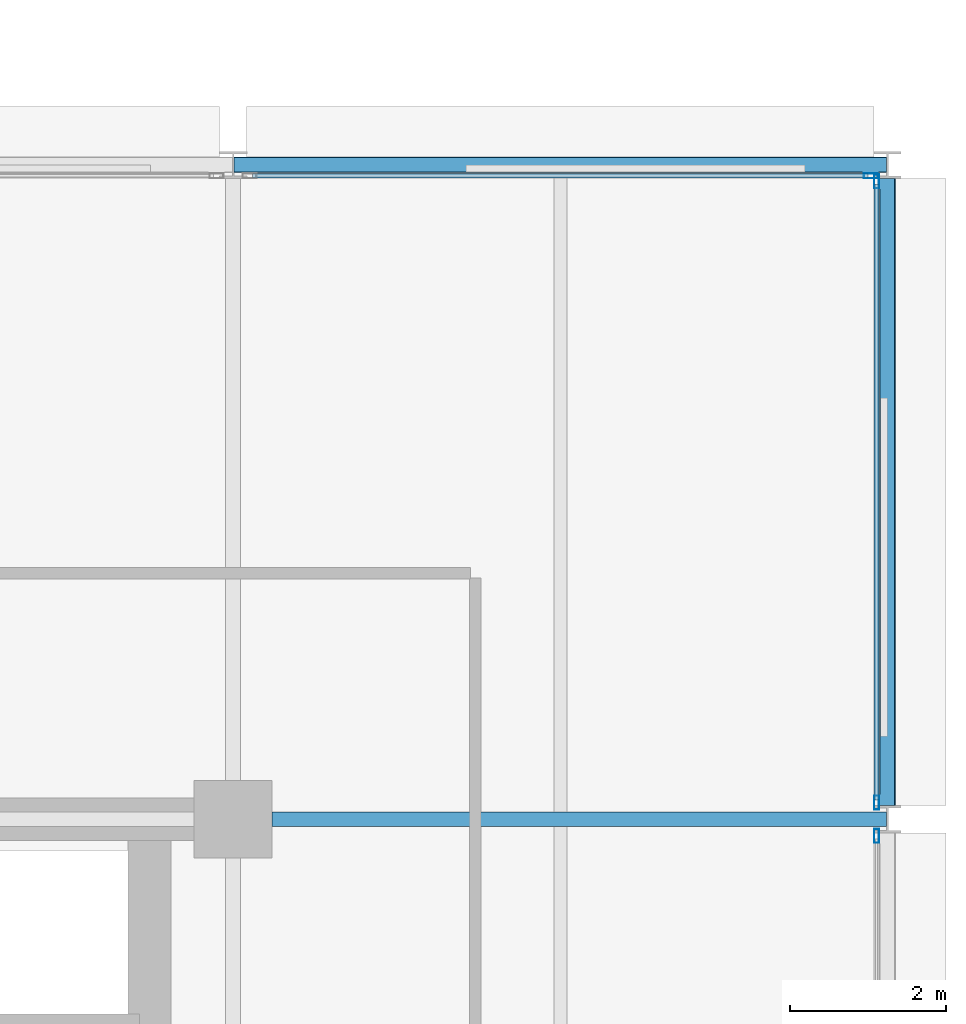
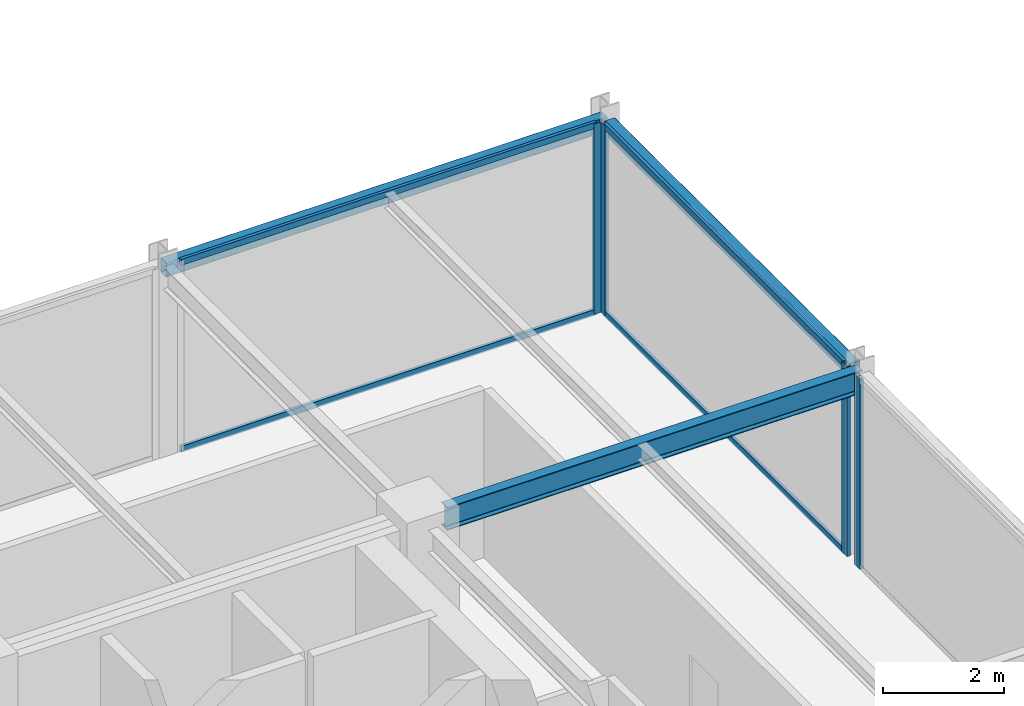
# One storey, part 16 of 29: 8 members, 3 beams, 3 elements without a shape of their own.
"""IFC4 building model written with IfcOpenShell, lengths in metres."""

from ifc_helpers import new_model, si_unit, direction, frame, origin, origin_2d, place, context, subcontext, project, spatial, hollow_rectangle, i_section, extrude, material, layer, layer_set, material_profile, profile_set, type_object, element, aggregate, save


model = new_model("IFC4")

# Units and contexts
model_context = context("Model", 3, precision=1e-05, world=origin(), true_north=direction((0.0, 1.0)))
body_context = subcontext(model_context, "Body", "Model", "MODEL_VIEW")
ifc_project = project(units=[si_unit("LENGTHUNIT", "METRE"), si_unit("AREAUNIT", "SQUARE_METRE"), si_unit("VOLUMEUNIT", "CUBIC_METRE"), si_unit("PLANEANGLEUNIT", "RADIAN"), si_unit("MASSUNIT", "GRAM", prefix="KILO")], contexts=[model_context])

# Site, building, storey
site_placement = place(None, origin())
site = spatial("IfcSite", under=ifc_project, at=site_placement, CompositionType="ELEMENT")
building_placement = place(site_placement, origin())
building = spatial("IfcBuilding", under=site, at=building_placement, Name="Nerrivon Quay Data Exchange", CompositionType="ELEMENT")
storey_placement = place(building_placement, frame((0.0, 0.0, 191.89990234375)))
storey = spatial("IfcBuildingStorey", under=building, at=storey_placement, Name="L45", CompositionType="ELEMENT", Elevation=191.89990234375)

# Beams
ifc_material_1 = material(Name="Steel Grade 350", Category="steel")
ifc_material_profile_1 = material_profile(ifc_material_1, i_section(OverallWidth=0.19091796875, OverallDepth=0.4599609375, WebThickness=0.010009765625, FlangeThickness=0.01611328125, FilletRadius=0.011474609375, at=origin_2d()), Name="460UB82.1")
ifc_profile_set_1 = profile_set([ifc_material_profile_1], Name="Steel Grade 350")
beam_type_1 = type_object("IfcBeamType", Name="BM-G5-460UB82", PredefinedType="BEAM", material=ifc_profile_set_1)
beam_1_placement = place(storey_placement, frame((34.10009765625, 16.800048828125, 3.59521484375), z_axis=(1.0, 0.0, 0.0), x_axis=(0.0, 1.0, 0.0)))
element("IfcBeam", 1, at=beam_1_placement, inside=storey, type_object=beam_type_1, Name="L45 EW Girder Y=16.8 (33.6..42.0)", PredefinedType="BEAM", context=body_context, shape_type="SweptSolid", body=[
    extrude(i_section(OverallWidth=0.19091796875, OverallDepth=0.4599609375, WebThickness=0.010009765625, FlangeThickness=0.01611328125, FilletRadius=0.011474609375, at=origin_2d()), origin(), (0.0, 0.0, 1.0), 7.889892578125),
])
ifc_material_2 = material(Name="Steel Grade C350L0 (350 MPa)", Category="steel")
ifc_material_profile_2 = material_profile(ifc_material_2, hollow_rectangle(XDim=0.199951171875, YDim=0.300048828125, WallThickness=0.012451171875, InnerFilletRadius=0.018798828125, OuterFilletRadius=0.03125, at=origin_2d()), Name="300x200x12.5RHS")
ifc_profile_set_2 = profile_set([ifc_material_profile_2], Name="Steel Grade C350L0 (350 MPa)")
beam_type_2 = type_object("IfcBeamType", Name="BM-SP3-300x200RHS", PredefinedType="SPANDREL", material=ifc_profile_set_2)
beam_2_placement = place(storey_placement, frame((33.610107421875, 25.199951171875, 3.675048828125), z_axis=(1.0, 0.0, 0.0), x_axis=(0.0, 1.0, 0.0)))
element("IfcBeam", 2, at=beam_2_placement, inside=storey, type_object=beam_type_2, Name="L45 EW Girder Y=25.2 (33.6..42.0)", PredefinedType="SPANDREL", context=body_context, shape_type="SweptSolid", body=[
    extrude(hollow_rectangle(XDim=0.199951171875, YDim=0.300048828125, WallThickness=0.012451171875, InnerFilletRadius=0.018798828125, OuterFilletRadius=0.03125, at=origin_2d()), origin(), (0.0, 0.0, 1.0), 8.3798828125),
])
beam_3_placement = place(storey_placement, frame((42.0, 16.97509765625, 3.675048828125), z_axis=(0.0, 1.0, 0.0), x_axis=(-1.0, 0.0, 0.0)))
element("IfcBeam", 3, at=beam_3_placement, inside=storey, type_object=beam_type_2, Name="L45 NS Girder X=42.0 (16.8..25.2)", PredefinedType="SPANDREL", context=body_context, shape_type="SweptSolid", body=[
    extrude(hollow_rectangle(XDim=0.199951171875, YDim=0.300048828125, WallThickness=0.012451171875, InnerFilletRadius=0.018798828125, OuterFilletRadius=0.03125, at=origin_2d()), origin(), (0.0, 0.0, 1.0), 8.0498046875),
])

# Curtain wall, member
ifc_material_3 = material(Name="Anodised aluminium 6063-T6", Category="aluminium")
ifc_layer = layer(ifc_material_3, 0.195068359375)
ifc_layer_set = layer_set([ifc_layer], Name="Anodised aluminium 6063-T6")
curtain_wall_type = type_object("IfcCurtainWallType", Name="CW-SYS-06", PredefinedType="NOTDEFINED", material=ifc_layer_set)
curtain_wall_1_placement = place(storey_placement, origin())
curtain_wall_1 = element("IfcCurtainWall", 4, at=curtain_wall_1_placement, inside=storey, type_object=curtain_wall_type, Name="L45 Unitised Curtain Wall 17", PredefinedType="NOTDEFINED")
ifc_material_profile_3 = material_profile(ifc_material_3, hollow_rectangle(XDim=0.06494140625, YDim=0.179931640625, WallThickness=0.00341796875, at=origin_2d()), Name="ALU-MULL-180x65")
ifc_profile_set_3 = profile_set([ifc_material_profile_3], Name="Anodised aluminium 6063-T6")
member_type_1 = type_object("IfcMemberType", Name="CWM-180x65", PredefinedType="MULLION", material=ifc_profile_set_3)
member_1_placement = place(storey_placement, frame((41.78759765625, 25.06005859375, 0.0), z_axis=(0.0, 0.0, 1.0), x_axis=(0.0, 1.0, 0.0)))
member_1 = element("IfcMember", 5, at=member_1_placement, type_object=member_type_1, Name="CW06 mullion 2", PredefinedType="MULLION", context=body_context, shape_type="SweptSolid", body=[
    extrude(hollow_rectangle(XDim=0.06494140625, YDim=0.179931640625, WallThickness=0.00341796875, at=origin_2d()), origin(), (0.0, 0.0, 1.0), 3.8251953125),
])

# Curtain wall, members
curtain_wall_2_placement = place(storey_placement, origin())
curtain_wall_2 = element("IfcCurtainWall", 6, at=curtain_wall_2_placement, inside=storey, type_object=curtain_wall_type, Name="L45 Unitised Curtain Wall 18", PredefinedType="NOTDEFINED")
member_2_placement = place(storey_placement, frame((41.860107421875, 24.987548828125, 0.0), z_axis=(0.0, 0.0, 1.0), x_axis=(1.0, 0.0, 0.0)))
member_2 = element("IfcMember", 7, at=member_2_placement, type_object=member_type_1, Name="CW06 mullion 1", PredefinedType="MULLION", context=body_context, shape_type="SweptSolid", body=[
    extrude(hollow_rectangle(XDim=0.06494140625, YDim=0.179931640625, WallThickness=0.00341796875, at=origin_2d()), origin(), (0.0, 0.0, 1.0), 3.8251953125),
])
member_3_placement = place(storey_placement, frame((41.860107421875, 17.012451171875, 0.0), z_axis=(0.0, 0.0, 1.0), x_axis=(1.0, 0.0, 0.0)))
member_3 = element("IfcMember", 8, at=member_3_placement, type_object=member_type_1, Name="CW06 mullion 2", PredefinedType="MULLION", context=body_context, shape_type="SweptSolid", body=[
    extrude(hollow_rectangle(XDim=0.06494140625, YDim=0.179931640625, WallThickness=0.00341796875, at=origin_2d()), origin(), (0.0, 0.0, 1.0), 3.8251953125),
])

# Curtain wall, member
curtain_wall_3_placement = place(storey_placement, origin())
curtain_wall_3 = element("IfcCurtainWall", 9, at=curtain_wall_3_placement, inside=storey, type_object=curtain_wall_type, Name="L45 Unitised Curtain Wall 19", PredefinedType="NOTDEFINED")
member_4_placement = place(storey_placement, frame((41.860107421875, 16.58740234375, 0.0), z_axis=(0.0, 0.0, 1.0), x_axis=(1.0, 0.0, 0.0)))
member_4 = element("IfcMember", 10, at=member_4_placement, type_object=member_type_1, Name="CW06 mullion 1", PredefinedType="MULLION", context=body_context, shape_type="SweptSolid", body=[
    extrude(hollow_rectangle(XDim=0.06494140625, YDim=0.179931640625, WallThickness=0.00341796875, at=origin_2d()), origin(), (0.0, 0.0, 1.0), 3.8251953125),
])
aggregate(curtain_wall_3, [member_4])

# Member
ifc_material_profile_4 = material_profile(ifc_material_3, hollow_rectangle(XDim=0.06005859375, YDim=0.1201171875, WallThickness=0.003173828125, at=origin_2d()), Name="ALU-TRAN-120x60")
ifc_profile_set_4 = profile_set([ifc_material_profile_4], Name="Anodised aluminium 6063-T6")
member_type_2 = type_object("IfcMemberType", Name="CWT-120x60", PredefinedType="USERDEFINED", material=ifc_profile_set_4)
member_5_placement = place(storey_placement, frame((33.85009765625, 25.06005859375, 0.03271484375), z_axis=(1.0, 0.0, 0.0), x_axis=(0.0, 1.0, 0.0)))
member_5 = element("IfcMember", 11, at=member_5_placement, type_object=member_type_2, Name="CW06 transom 1.1", ObjectType="TRANSOM", PredefinedType="USERDEFINED", context=body_context, shape_type="SweptSolid", body=[
    extrude(hollow_rectangle(XDim=0.06005859375, YDim=0.1201171875, WallThickness=0.003173828125, at=origin_2d()), origin(), (0.0, 0.0, 1.0), 7.89990234375),
])

member_6_placement = place(storey_placement, frame((33.85009765625, 25.06005859375, 3.79248046875), z_axis=(1.0, 0.0, 0.0), x_axis=(0.0, 1.0, 0.0)))
member_6 = element("IfcMember", 12, at=member_6_placement, type_object=member_type_2, Name="CW06 transom 1.2", ObjectType="TRANSOM", PredefinedType="USERDEFINED", context=body_context, shape_type="SweptSolid", body=[
    extrude(hollow_rectangle(XDim=0.06005859375, YDim=0.1201171875, WallThickness=0.003173828125, at=origin_2d()), origin(), (0.0, 0.0, 1.0), 7.89990234375),
])

aggregate(curtain_wall_1, [member_1, member_5, member_6])

member_7_placement = place(storey_placement, frame((41.860107421875, 24.949951171875, 0.03271484375), z_axis=(0.0, -1.0, 0.0), x_axis=(1.0, 0.0, 0.0)))
member_7 = element("IfcMember", 13, at=member_7_placement, type_object=member_type_2, Name="CW06 transom 1.1", ObjectType="TRANSOM", PredefinedType="USERDEFINED", context=body_context, shape_type="SweptSolid", body=[
    extrude(hollow_rectangle(XDim=0.06005859375, YDim=0.1201171875, WallThickness=0.003173828125, at=origin_2d()), origin(), (0.0, 0.0, 1.0), 7.89990234375),
])

member_8_placement = place(storey_placement, frame((41.860107421875, 24.949951171875, 3.79248046875), z_axis=(0.0, -1.0, 0.0), x_axis=(1.0, 0.0, 0.0)))
member_8 = element("IfcMember", 14, at=member_8_placement, type_object=member_type_2, Name="CW06 transom 1.2", ObjectType="TRANSOM", PredefinedType="USERDEFINED", context=body_context, shape_type="SweptSolid", body=[
    extrude(hollow_rectangle(XDim=0.06005859375, YDim=0.1201171875, WallThickness=0.003173828125, at=origin_2d()), origin(), (0.0, 0.0, 1.0), 7.89990234375),
])

aggregate(curtain_wall_2, [member_2, member_3, member_7, member_8])

save(model, "model.ifc")
